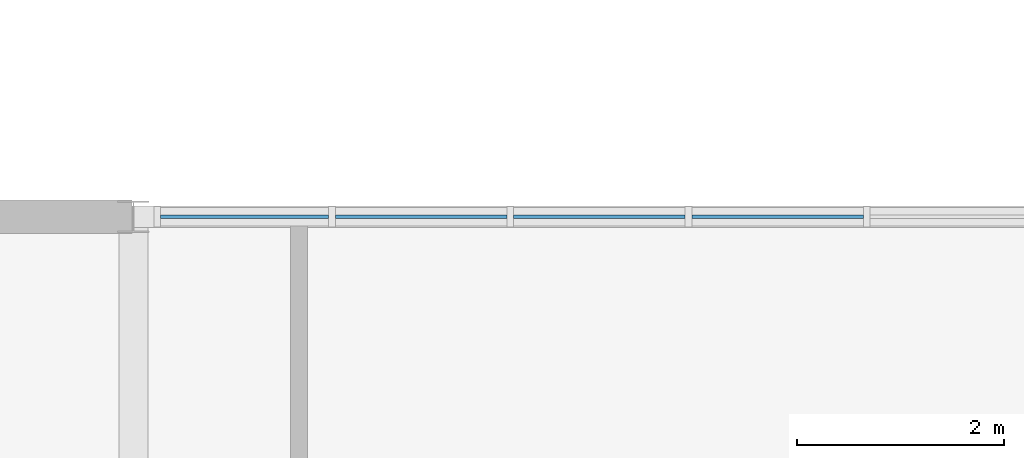
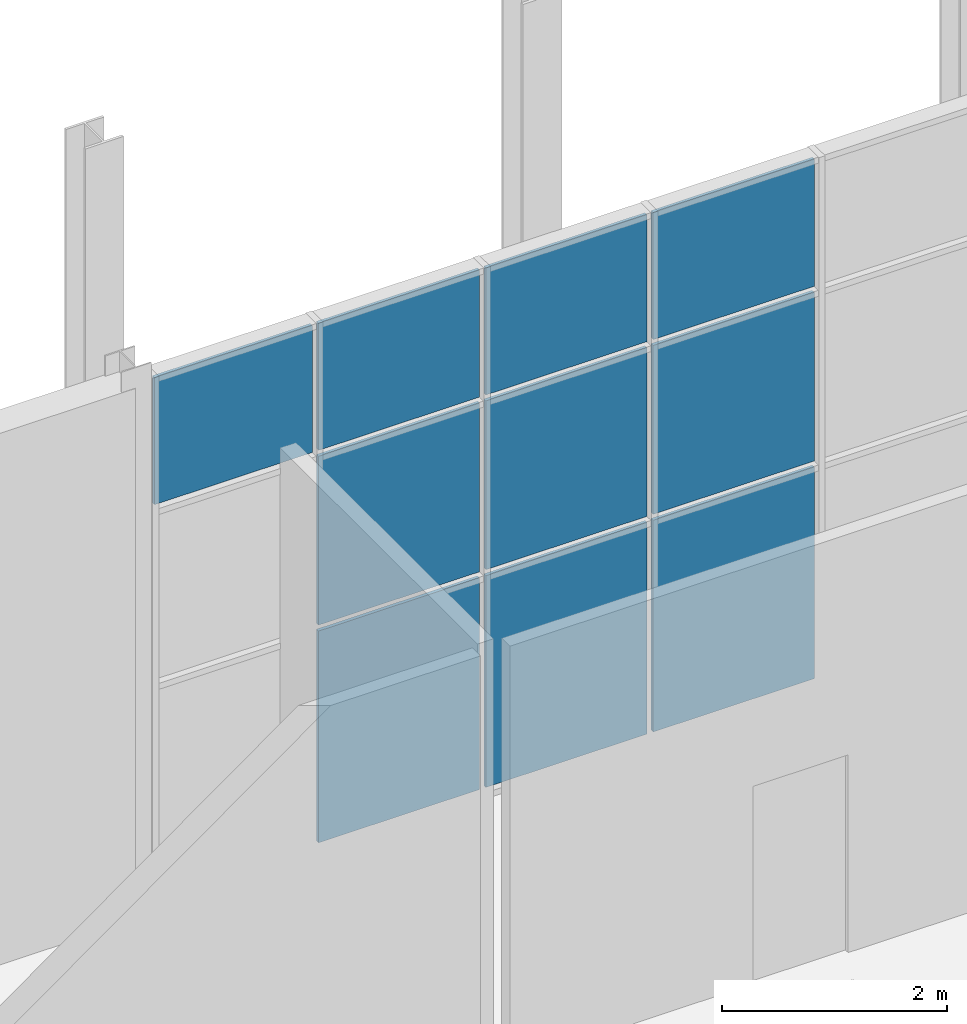
# One storey, part 107 of 159: 10 plates, 1 element without a shape of its own.
"""IFC4 building model written with IfcOpenShell, lengths in metres."""

from ifc_helpers import new_model, si_unit, direction, frame, origin, origin_2d, place, context, subcontext, project, spatial, rectangle, extrude, material, layer, layer_set, type_object, element, aggregate, save


model = new_model("IFC4")

# Units and contexts
model_context = context("Model", 3, precision=1e-05, world=origin(), true_north=direction((0.0, 1.0)))
body_context = subcontext(model_context, "Body", "Model", "MODEL_VIEW")
ifc_project = project(units=[si_unit("LENGTHUNIT", "METRE"), si_unit("AREAUNIT", "SQUARE_METRE"), si_unit("VOLUMEUNIT", "CUBIC_METRE"), si_unit("PLANEANGLEUNIT", "RADIAN"), si_unit("MASSUNIT", "GRAM", prefix="KILO")], contexts=[model_context])

# Site, building, storey
site_placement = place(None, origin())
site = spatial("IfcSite", under=ifc_project, at=site_placement, CompositionType="ELEMENT")
building_placement = place(site_placement, origin())
building = spatial("IfcBuilding", under=site, at=building_placement, Name="Cazmaro Siding Exhibition Halls", CompositionType="ELEMENT")
storey_placement = place(building_placement, frame((0.0, 0.0, 6.0)))
storey = spatial("IfcBuildingStorey", under=building, at=storey_placement, Name="L01", CompositionType="ELEMENT", Elevation=6.0)

# Curtain wall, plates
ifc_material_1 = material(Name="Anodized Bronze Aluminum and Solar-Control Low-E Glazing", Category="aluminium")
ifc_layer_1 = layer(ifc_material_1, 0.199951171875)
ifc_layer_set_1 = layer_set([ifc_layer_1], Name="Anodized Bronze Aluminum and Solar-Control Low-E Glazing")
curtain_wall_type = type_object("IfcCurtainWallType", Name="CWS-02", PredefinedType="USERDEFINED", material=ifc_layer_set_1)
curtain_wall_placement = place(storey_placement, origin())
curtain_wall = element("IfcCurtainWall", 1, at=curtain_wall_placement, inside=storey, type_object=curtain_wall_type, Name="Glazed Curtain Wall CWS-02 CW-033", ObjectType="GLAZED CURTAIN WALL", PredefinedType="USERDEFINED")
ifc_material_2 = material(Name="Solar-Control Low-E Double Insulating Glass", Category="glass")
ifc_layer_2 = layer(ifc_material_2, 0.035888671875)
ifc_layer_set_2 = layer_set([ifc_layer_2], Name="Solar-Control Low-E Double Insulating Glass")
plate_type = type_object("IfcPlateType", Name="CWP-02", PredefinedType="CURTAIN_PANEL", material=ifc_layer_set_2)
plate_1_placement = place(storey_placement, frame((126.22119140625, 120.800048828125, 0.06494140625), z_axis=(0.0, 0.0, 1.0), x_axis=(-1.0, 0.0, 0.0)))
plate_1 = element("IfcPlate", 2, at=plate_1_placement, type_object=plate_type, Name="CWS-02 panel 2.1", PredefinedType="CURTAIN_PANEL", context=body_context, shape_type="SweptSolid", body=[
    extrude(rectangle(XDim=1.65625, YDim=0.035888671875, at=origin_2d()), origin(), (0.0, 0.0, 1.0), 2.302490234375),
])
plate_2_placement = place(storey_placement, frame((126.22119140625, 120.800048828125, 2.4326171875), z_axis=(0.0, 0.0, 1.0), x_axis=(-1.0, 0.0, 0.0)))
plate_2 = element("IfcPlate", 3, at=plate_2_placement, type_object=plate_type, Name="CWS-02 panel 2.2", PredefinedType="CURTAIN_PANEL", context=body_context, shape_type="SweptSolid", body=[
    extrude(rectangle(XDim=1.65625, YDim=0.035888671875, at=origin_2d()), origin(), (0.0, 0.0, 1.0), 1.8349609375),
])
plate_3_placement = place(storey_placement, frame((126.22119140625, 120.800048828125, 4.33251953125), z_axis=(0.0, 0.0, 1.0), x_axis=(-1.0, 0.0, 0.0)))
plate_3 = element("IfcPlate", 4, at=plate_3_placement, type_object=plate_type, Name="CWS-02 panel 2.3", PredefinedType="CURTAIN_PANEL", context=body_context, shape_type="SweptSolid", body=[
    extrude(rectangle(XDim=1.65625, YDim=0.035888671875, at=origin_2d()), origin(), (0.0, 0.0, 1.0), 1.382568359375),
])
plate_4_placement = place(storey_placement, frame((124.5, 120.800048828125, 0.06494140625), z_axis=(0.0, 0.0, 1.0), x_axis=(-1.0, 0.0, 0.0)))
plate_4 = element("IfcPlate", 5, at=plate_4_placement, type_object=plate_type, Name="CWS-02 panel 3.1", PredefinedType="CURTAIN_PANEL", context=body_context, shape_type="SweptSolid", body=[
    extrude(rectangle(XDim=1.65625, YDim=0.035888671875, at=origin_2d()), origin(), (0.0, 0.0, 1.0), 2.302490234375),
])
plate_5_placement = place(storey_placement, frame((124.5, 120.800048828125, 2.4326171875), z_axis=(0.0, 0.0, 1.0), x_axis=(-1.0, 0.0, 0.0)))
plate_5 = element("IfcPlate", 6, at=plate_5_placement, type_object=plate_type, Name="CWS-02 panel 3.2", PredefinedType="CURTAIN_PANEL", context=body_context, shape_type="SweptSolid", body=[
    extrude(rectangle(XDim=1.65625, YDim=0.035888671875, at=origin_2d()), origin(), (0.0, 0.0, 1.0), 1.8349609375),
])
plate_6_placement = place(storey_placement, frame((124.5, 120.800048828125, 4.33251953125), z_axis=(0.0, 0.0, 1.0), x_axis=(-1.0, 0.0, 0.0)))
plate_6 = element("IfcPlate", 7, at=plate_6_placement, type_object=plate_type, Name="CWS-02 panel 3.3", PredefinedType="CURTAIN_PANEL", context=body_context, shape_type="SweptSolid", body=[
    extrude(rectangle(XDim=1.65625, YDim=0.035888671875, at=origin_2d()), origin(), (0.0, 0.0, 1.0), 1.382568359375),
])
plate_7_placement = place(storey_placement, frame((122.77880859375, 120.800048828125, 0.06494140625), z_axis=(0.0, 0.0, 1.0), x_axis=(-1.0, 0.0, 0.0)))
plate_7 = element("IfcPlate", 8, at=plate_7_placement, type_object=plate_type, Name="CWS-02 panel 4.1", PredefinedType="CURTAIN_PANEL", context=body_context, shape_type="SweptSolid", body=[
    extrude(rectangle(XDim=1.65625, YDim=0.035888671875, at=origin_2d()), origin(), (0.0, 0.0, 1.0), 2.302490234375),
])
plate_8_placement = place(storey_placement, frame((122.77880859375, 120.800048828125, 2.4326171875), z_axis=(0.0, 0.0, 1.0), x_axis=(-1.0, 0.0, 0.0)))
plate_8 = element("IfcPlate", 9, at=plate_8_placement, type_object=plate_type, Name="CWS-02 panel 4.2", PredefinedType="CURTAIN_PANEL", context=body_context, shape_type="SweptSolid", body=[
    extrude(rectangle(XDim=1.65625, YDim=0.035888671875, at=origin_2d()), origin(), (0.0, 0.0, 1.0), 1.8349609375),
])
plate_9_placement = place(storey_placement, frame((122.77880859375, 120.800048828125, 4.33251953125), z_axis=(0.0, 0.0, 1.0), x_axis=(-1.0, 0.0, 0.0)))
plate_9 = element("IfcPlate", 10, at=plate_9_placement, type_object=plate_type, Name="CWS-02 panel 4.3", PredefinedType="CURTAIN_PANEL", context=body_context, shape_type="SweptSolid", body=[
    extrude(rectangle(XDim=1.65625, YDim=0.035888671875, at=origin_2d()), origin(), (0.0, 0.0, 1.0), 1.382568359375),
])
plate_10_placement = place(storey_placement, frame((121.07373046875, 120.800048828125, 4.33251953125), z_axis=(0.0, 0.0, 1.0), x_axis=(-1.0, 0.0, 0.0)))
plate_10 = element("IfcPlate", 11, at=plate_10_placement, type_object=plate_type, Name="CWS-02 panel 5.3", PredefinedType="CURTAIN_PANEL", context=body_context, shape_type="SweptSolid", body=[
    extrude(rectangle(XDim=1.623779296875, YDim=0.035888671875, at=origin_2d()), origin(), (0.0, 0.0, 1.0), 1.382568359375),
])
aggregate(curtain_wall, [plate_1, plate_2, plate_3, plate_4, plate_5, plate_6, plate_7, plate_8, plate_9, plate_10])

save(model, "model.ifc")
